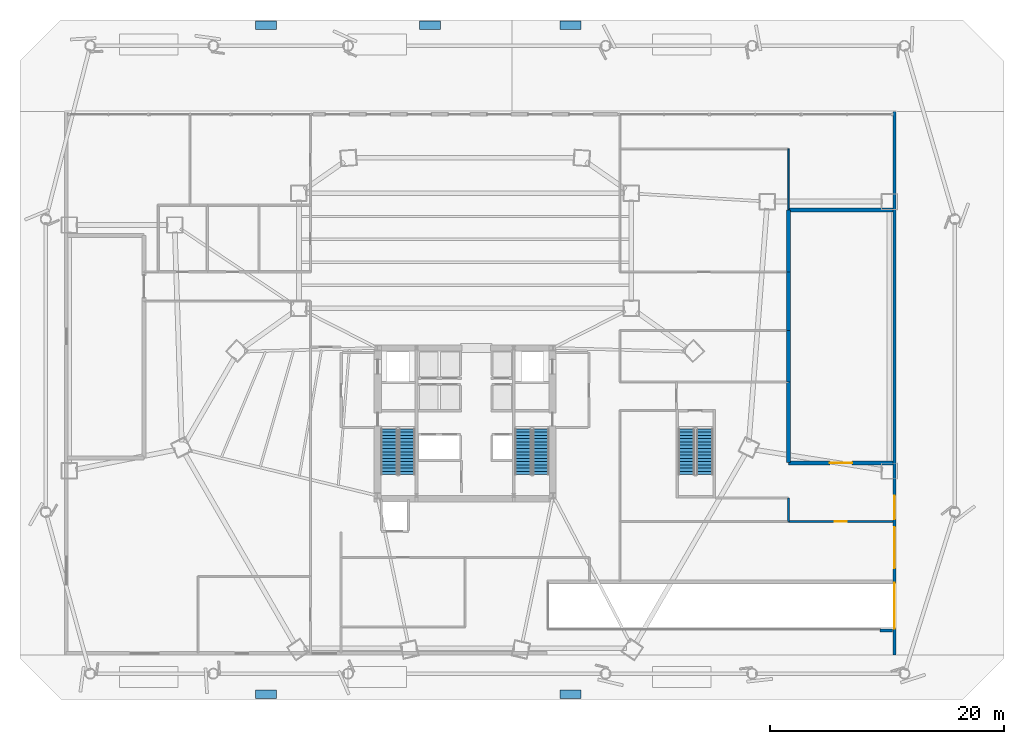
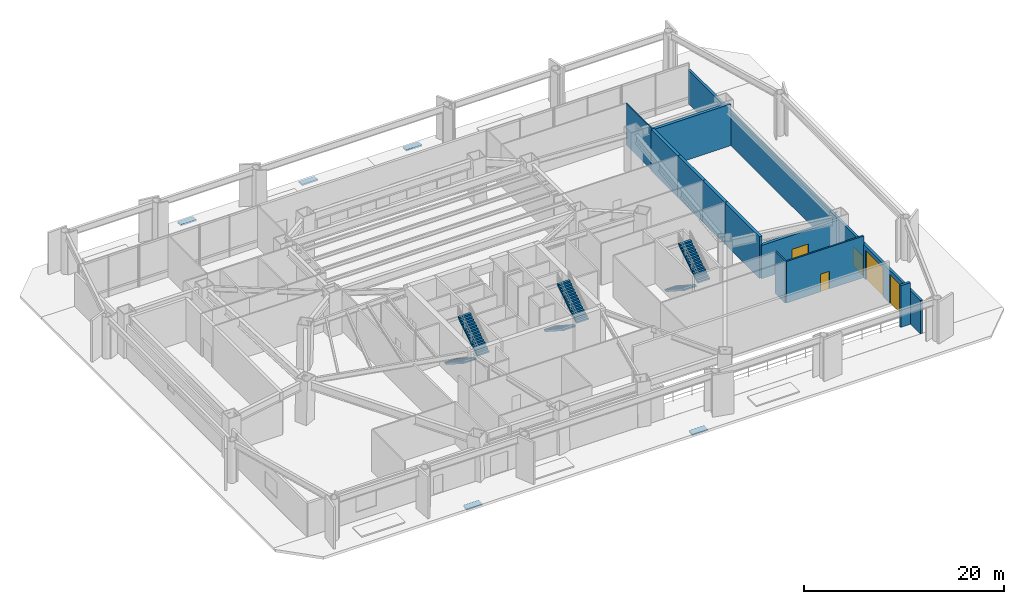
# One storey, part 14 of 19: 11 walls, 6 stair flights, 5 doors, 5 ramp flights, 5 openings, 8 elements without a shape of their own.
"""IFC4 building model written with IfcOpenShell, lengths in metres."""

from ifc_helpers import new_model, si_unit, direction, frame, frame_2d, origin, place, context, subcontext, project, spatial, polyline, rectangle, outline, extrude, material, layer, layer_set, type_object, element, fill, aggregate, save


model = new_model("IFC4")

# Units and contexts
model_context = context("Model", 3, precision=1e-05, world=origin(), true_north=direction((0.0, 1.0)))
body_context = subcontext(model_context, "Body", "Model", "MODEL_VIEW")
ifc_project = project(units=[si_unit("LENGTHUNIT", "METRE"), si_unit("AREAUNIT", "SQUARE_METRE"), si_unit("VOLUMEUNIT", "CUBIC_METRE"), si_unit("PLANEANGLEUNIT", "RADIAN"), si_unit("MASSUNIT", "GRAM", prefix="KILO")], contexts=[model_context])

# Site, building, storey
site_placement = place(None, origin())
site = spatial("IfcSite", under=ifc_project, at=site_placement, CompositionType="ELEMENT")
building_placement = place(site_placement, origin())
building = spatial("IfcBuilding", under=site, at=building_placement, Name="Caelisora Broadcast Tower", CompositionType="ELEMENT")
storey_placement = place(building_placement, origin())
storey = spatial("IfcBuildingStorey", under=building, at=storey_placement, Name="L00", CompositionType="ELEMENT", Elevation=0.0)

# Wall
ifc_material_1 = material(Name="Insulated Terracotta Spandrel Wall System", Category="masonry")
ifc_layer_1 = layer(ifc_material_1, 0.280029296875, Name="Insulated Terracotta Spandrel Wall System")
ifc_layer_set_1 = layer_set([ifc_layer_1], Name="Insulated Terracotta Spandrel Wall System")
wall_type_1 = type_object("IfcWallType", Name="EW1", PredefinedType="STANDARD", material=ifc_layer_set_1)
wall_1_placement = place(storey_placement, frame((73.39990234375, 5.8798828125, 0.0), z_axis=(0.0, 0.0, 1.0), x_axis=(1.0, 0.0, 0.0)))
element("IfcWall", 1, at=wall_1_placement, inside=storey, type_object=wall_type_1, Name="L00 exterior envelope wall EW1", PredefinedType="STANDARD", context=body_context, shape_type="SweptSolid", body=[
    extrude(rectangle(XDim=1.10009765625, YDim=0.280029296875, at=frame_2d((0.550048828125, 0.0))), origin(), (0.0, 0.0, 1.0), 5.080078125),
])

# Wall, openings, doors
wall_2_placement = place(storey_placement, frame((74.659912109375, 50.199951171875, 0.0), z_axis=(0.0, 0.0, 1.0), x_axis=(0.0, -1.0, 0.0)))
wall_2 = element("IfcWall", 2, at=wall_2_placement, inside=storey, type_object=wall_type_1, Name="L00 exterior envelope wall EW1", PredefinedType="STANDARD", context=body_context, shape_type="SweptSolid", body=[
    extrude(rectangle(XDim=46.39990234375, YDim=0.280029296875, at=frame_2d((23.199951171875, 0.0))), origin(), (0.0, 0.0, 1.0), 4.06494140625),
])
opening_1_placement = place(wall_2_placement, frame((40.25, 0.0, 0.0)))
opening_1 = element("IfcOpeningElement", 3, at=opening_1_placement, cuts=wall_2, Name="Opening RS01", PredefinedType="OPENING", context=body_context, shape_type="SweptSolid", body=[
    extrude(rectangle(XDim=3.89990234375, YDim=3.550048828125, at=frame_2d((1.949951171875, 1.77490234375))), frame((0.0, 0.152099609375, 0.0), z_axis=(0.0, -1.0, 0.0), x_axis=(1.0, 0.0, 0.0)), (0.0, 0.0, 1.0), 0.303955078125),
])
opening_2_placement = place(wall_2_placement, frame((35.5, 0.0, 0.0)))
opening_2 = element("IfcOpeningElement", 4, at=opening_2_placement, cuts=wall_2, Name="Opening RS02", PredefinedType="OPENING", context=body_context, shape_type="SweptSolid", body=[
    extrude(rectangle(XDim=3.5, YDim=3.550048828125, at=frame_2d((1.75, 1.77490234375))), frame((0.0, 0.152099609375, 0.0), z_axis=(0.0, -1.0, 0.0), x_axis=(1.0, 0.0, 0.0)), (0.0, 0.0, 1.0), 0.303955078125),
])
opening_3_placement = place(wall_2_placement, frame((32.800048828125, 0.0, 0.0)))
opening_3 = element("IfcOpeningElement", 5, at=opening_3_placement, cuts=wall_2, Name="Opening D05", PredefinedType="OPENING", context=body_context, shape_type="SweptSolid", body=[
    extrude(rectangle(XDim=2.0, YDim=2.39990234375, at=frame_2d((1.0, 1.199951171875))), frame((0.0, 0.152099609375, 0.0), z_axis=(0.0, -1.0, 0.0), x_axis=(1.0, 0.0, 0.0)), (0.0, 0.0, 1.0), 0.303955078125),
])
ifc_material_2 = material(Name="Anodised Aluminium Double Entrance Door", Category="aluminium")
door_type_1 = type_object("IfcDoorType", Name="D05", OperationType="NOTDEFINED", PredefinedType="DOOR", material=ifc_material_2)
door_1_placement = place(opening_3_placement, origin())
door_1 = element("IfcDoor", 6, at=door_1_placement, inside=storey, type_object=door_type_1, Name="L00 door D05 (L00-DR-EXP3)", OperationType="DOUBLE_DOOR_SINGLE_SWING", OverallHeight=2.39990234375, OverallWidth=2.0, PredefinedType="DOOR", context=body_context, shape_type="SweptSolid", body=[
    extrude(rectangle(XDim=2.0, YDim=2.39990234375, at=frame_2d((1.0, 1.199951171875))), frame((0.0, 0.02490234375, 0.0), z_axis=(0.0, -1.0, 0.0), x_axis=(1.0, 0.0, 0.0)), (0.0, 0.0, 1.0), 0.050048828125),
])
fill(opening_3, door_1)
ifc_material_3 = material(Name="Heavy-Duty Steel Insulated Roller Shutter", Category="steel")
door_type_2 = type_object("IfcDoorType", Name="RS01", OperationType="NOTDEFINED", PredefinedType="GATE", material=ifc_material_3)
door_2_placement = place(opening_1_placement, origin())
door_2 = element("IfcDoor", 7, at=door_2_placement, inside=storey, type_object=door_type_2, Name="L00 door RS01 (L00-DR-RS01)", OperationType="ROLLINGUP", OverallHeight=3.550048828125, OverallWidth=3.89990234375, PredefinedType="GATE", context=body_context, shape_type="SweptSolid", body=[
    extrude(rectangle(XDim=3.89990234375, YDim=3.550048828125, at=frame_2d((1.949951171875, 1.77490234375))), frame((0.0, 0.02490234375, 0.0), z_axis=(0.0, -1.0, 0.0), x_axis=(1.0, 0.0, 0.0)), (0.0, 0.0, 1.0), 0.050048828125),
])
fill(opening_1, door_2)
ifc_material_4 = material(Name="Acoustic Steel Loading Dock Roller Shutter", Category="steel")
door_type_3 = type_object("IfcDoorType", Name="RS02", OperationType="NOTDEFINED", PredefinedType="GATE", material=ifc_material_4)
door_3_placement = place(opening_2_placement, origin())
door_3 = element("IfcDoor", 8, at=door_3_placement, inside=storey, type_object=door_type_3, Name="L00 door RS02 (L00-DR-RS02)", OperationType="ROLLINGUP", OverallHeight=3.550048828125, OverallWidth=3.5, PredefinedType="GATE", context=body_context, shape_type="SweptSolid", body=[
    extrude(rectangle(XDim=3.5, YDim=3.550048828125, at=frame_2d((1.75, 1.77490234375))), frame((0.0, 0.02490234375, 0.0), z_axis=(0.0, -1.0, 0.0), x_axis=(1.0, 0.0, 0.0)), (0.0, 0.0, 1.0), 0.050048828125),
])
fill(opening_2, door_3)

# Wall, opening, door
ifc_material_5 = material(Name="Double-Leaf Acoustic Studio Isolation Wall", Category="gypsum")
ifc_layer_2 = layer(ifc_material_5, 0.340087890625, Name="Double-Leaf Acoustic Studio Isolation Wall")
ifc_layer_set_2 = layer_set([ifc_layer_2], Name="Double-Leaf Acoustic Studio Isolation Wall")
wall_type_2 = type_object("IfcWallType", Name="PW1", PredefinedType="PARTITIONING", material=ifc_layer_set_2)
wall_3_placement = place(storey_placement, frame((74.534912109375, 20.199951171875, 0.0), z_axis=(0.0, 0.0, 1.0), x_axis=(-1.0, 0.0, 0.0)))
wall_3 = element("IfcWall", 9, at=wall_3_placement, inside=storey, type_object=wall_type_2, Name="L00 acoustic studio wall PW1", PredefinedType="PARTITIONING", context=body_context, shape_type="SweptSolid", body=[
    extrude(rectangle(XDim=8.929931640625, YDim=0.340087890625, at=frame_2d((4.46484375, 0.0))), origin(), (0.0, 0.0, 1.0), 4.06494140625),
])
opening_4_placement = place(wall_3_placement, frame((3.507080078125, 0.0, 0.0)))
opening_4 = element("IfcOpeningElement", 10, at=opening_4_placement, cuts=wall_3, Name="Opening SD01", PredefinedType="OPENING", context=body_context, shape_type="SweptSolid", body=[
    extrude(rectangle(XDim=1.89990234375, YDim=2.35009765625, at=frame_2d((0.949951171875, 1.175048828125))), frame((0.0, 0.18212890625, 0.0), z_axis=(0.0, -1.0, 0.0), x_axis=(1.0, 0.0, 0.0)), (0.0, 0.0, 1.0), 0.364013671875),
])
ifc_material_6 = material(Name="Double-Leaf Acoustic Studio Sound-Lock Door", Category="steel")
door_type_4 = type_object("IfcDoorType", Name="SD01", OperationType="NOTDEFINED", PredefinedType="DOOR", material=ifc_material_6)
door_4_placement = place(opening_4_placement, origin())
door_4 = element("IfcDoor", 11, at=door_4_placement, inside=storey, type_object=door_type_4, Name="L00 door SD01 (L00-DR-P24D1)", OperationType="DOUBLE_DOOR_SINGLE_SWING", OverallHeight=2.35009765625, OverallWidth=1.89990234375, PredefinedType="DOOR", context=body_context, shape_type="SweptSolid", body=[
    extrude(rectangle(XDim=1.89990234375, YDim=2.35009765625, at=frame_2d((0.949951171875, 1.175048828125))), frame((0.0, 0.02490234375, 0.0), z_axis=(0.0, -1.0, 0.0), x_axis=(1.0, 0.0, 0.0)), (0.0, 0.0, 1.0), 0.050048828125),
])
fill(opening_4, door_4)

# Walls
wall_4_placement = place(storey_placement, frame((65.60498046875, 41.800048828125, 0.0), z_axis=(0.0, 0.0, 1.0), x_axis=(1.0, 0.0, 0.0)))
element("IfcWall", 12, at=wall_4_placement, inside=storey, type_object=wall_type_2, Name="L00 acoustic studio wall PW1", PredefinedType="PARTITIONING", context=body_context, shape_type="SweptSolid", body=[
    extrude(rectangle(XDim=8.929931640625, YDim=0.340087890625, at=frame_2d((4.46484375, 0.0))), origin(), (0.0, 0.0, 1.0), 5.080078125),
])
wall_5_placement = place(storey_placement, frame((65.60009765625, 20.205078125, 0.0), z_axis=(0.0, 0.0, 1.0), x_axis=(0.0, 1.0, 0.0)))
element("IfcWall", 13, at=wall_5_placement, inside=storey, type_object=wall_type_2, Name="L00 acoustic studio wall PW1", PredefinedType="PARTITIONING", context=body_context, shape_type="SweptSolid", body=[
    extrude(rectangle(XDim=6.889892578125, YDim=0.340087890625, at=frame_2d((3.44482421875, 0.0))), origin(), (0.0, 0.0, 1.0), 5.080078125),
])
wall_6_placement = place(storey_placement, frame((65.60009765625, 36.5048828125, 0.0), z_axis=(0.0, 0.0, 1.0), x_axis=(0.0, 1.0, 0.0)))
element("IfcWall", 14, at=wall_6_placement, inside=storey, type_object=wall_type_2, Name="L00 acoustic studio wall PW1", PredefinedType="PARTITIONING", context=body_context, shape_type="SweptSolid", body=[
    extrude(rectangle(XDim=5.2900390625, YDim=0.340087890625, at=frame_2d((2.64501953125, 0.0))), origin(), (0.0, 0.0, 1.0), 5.080078125),
])
wall_7_placement = place(storey_placement, frame((65.60009765625, 31.5048828125, 0.0), z_axis=(0.0, 0.0, 1.0), x_axis=(0.0, 1.0, 0.0)))
element("IfcWall", 15, at=wall_7_placement, inside=storey, type_object=wall_type_2, Name="L00 acoustic studio wall PW1", PredefinedType="PARTITIONING", context=body_context, shape_type="SweptSolid", body=[
    extrude(rectangle(XDim=4.990234375, YDim=0.340087890625, at=frame_2d((2.4951171875, 0.0))), origin(), (0.0, 0.0, 1.0), 5.080078125),
])
wall_8_placement = place(storey_placement, frame((65.60009765625, 27.10498046875, 0.0), z_axis=(0.0, 0.0, 1.0), x_axis=(0.0, 1.0, 0.0)))
element("IfcWall", 16, at=wall_8_placement, inside=storey, type_object=wall_type_2, Name="L00 acoustic studio wall PW1", PredefinedType="PARTITIONING", context=body_context, shape_type="SweptSolid", body=[
    extrude(rectangle(XDim=4.39013671875, YDim=0.340087890625, at=frame_2d((2.195068359375, 0.0))), origin(), (0.0, 0.0, 1.0), 5.080078125),
])

# Wall, opening, door
ifc_material_7 = material(Name="Fire-Rated Gypsum Shaft and Compartment Wall", Category="gypsum")
ifc_layer_3 = layer(ifc_material_7, 0.179931640625, Name="Fire-Rated Gypsum Shaft and Compartment Wall")
ifc_layer_set_3 = layer_set([ifc_layer_3], Name="Fire-Rated Gypsum Shaft and Compartment Wall")
wall_type_3 = type_object("IfcWallType", Name="PW2", PredefinedType="PARTITIONING", material=ifc_layer_set_3)
wall_9_placement = place(storey_placement, frame((65.60498046875, 15.199951171875, 0.0), z_axis=(0.0, 0.0, 1.0), x_axis=(1.0, 0.0, 0.0)))
wall_9 = element("IfcWall", 17, at=wall_9_placement, inside=storey, type_object=wall_type_3, Name="L00 fire compartment wall PW2", PredefinedType="PARTITIONING", context=body_context, shape_type="SweptSolid", body=[
    extrude(rectangle(XDim=8.929931640625, YDim=0.179931640625, at=frame_2d((4.46484375, 0.0))), origin(), (0.0, 0.0, 1.0), 5.080078125),
])
opening_5_placement = place(wall_9_placement, frame((3.931884765625, 0.0, 0.0)))
opening_5 = element("IfcOpeningElement", 18, at=opening_5_placement, cuts=wall_9, Name="Opening FD02", PredefinedType="OPENING", context=body_context, shape_type="SweptSolid", body=[
    extrude(rectangle(XDim=1.050048828125, YDim=2.14990234375, at=frame_2d((0.52490234375, 1.074951171875))), frame((0.0, 0.10205078125, 0.0), z_axis=(0.0, -1.0, 0.0), x_axis=(1.0, 0.0, 0.0)), (0.0, 0.0, 1.0), 0.203857421875),
])
ifc_material_8 = material(Name="Single-Leaf Steel Fire Lobby Door", Category="steel")
door_type_5 = type_object("IfcDoorType", Name="FD02", OperationType="NOTDEFINED", PredefinedType="DOOR", material=ifc_material_8)
door_5_placement = place(opening_5_placement, origin())
door_5 = element("IfcDoor", 19, at=door_5_placement, inside=storey, type_object=door_type_5, Name="L00 door FD02 (L00-DR-P37D1)", OperationType="SINGLE_SWING_LEFT", OverallHeight=2.14990234375, OverallWidth=1.050048828125, PredefinedType="DOOR", context=body_context, shape_type="SweptSolid", body=[
    extrude(rectangle(XDim=1.050048828125, YDim=2.14990234375, at=frame_2d((0.52490234375, 1.074951171875))), frame((0.0, 0.02490234375, 0.0), z_axis=(0.0, -1.0, 0.0), x_axis=(1.0, 0.0, 0.0)), (0.0, 0.0, 1.0), 0.050048828125),
])
fill(opening_5, door_5)

# Walls
wall_10_placement = place(storey_placement, frame((65.60009765625, 15.205078125, 0.0), z_axis=(0.0, 0.0, 1.0), x_axis=(0.0, 1.0, 0.0)))
element("IfcWall", 20, at=wall_10_placement, inside=storey, type_object=wall_type_3, Name="L00 fire compartment wall PW2", PredefinedType="PARTITIONING", context=body_context, shape_type="SweptSolid", body=[
    extrude(rectangle(XDim=1.989990234375, YDim=0.179931640625, at=frame_2d((0.9951171875, 0.0))), origin(), (0.0, 0.0, 1.0), 5.080078125),
])
ifc_material_9 = material(Name="Acoustic Steel-Stud Plasterboard Partition", Category="gypsum")
ifc_layer_4 = layer(ifc_material_9, 0.1298828125, Name="Acoustic Steel-Stud Plasterboard Partition")
ifc_layer_set_4 = layer_set([ifc_layer_4], Name="Acoustic Steel-Stud Plasterboard Partition")
wall_type_4 = type_object("IfcWallType", Name="PW3", PredefinedType="PARTITIONING", material=ifc_layer_set_4)
wall_11_placement = place(storey_placement, frame((65.60009765625, 46.9951171875, 0.0), z_axis=(0.0, 0.0, 1.0), x_axis=(0.0, -1.0, 0.0)))
element("IfcWall", 21, at=wall_11_placement, inside=storey, type_object=wall_type_4, Name="L00 internal partition PW3", PredefinedType="PARTITIONING", context=body_context, shape_type="SweptSolid", body=[
    extrude(rectangle(XDim=5.190185546875, YDim=0.1298828125, at=frame_2d((2.59521484375, 0.0))), origin(), (0.0, 0.0, 1.0), 5.080078125),
])

# Stair, stair flights
ifc_material_10 = material(Name="Concrete 40 MPa (AS 3600 N40)", Category="concrete")
stair_type_1 = type_object("IfcStairType", Name="ST-1", PredefinedType="HALF_TURN_STAIR", material=ifc_material_10)
stair_1_placement = place(storey_placement, origin())
stair_1 = element("IfcStair", 22, at=stair_1_placement, inside=storey, type_object=stair_type_1, Name="L00 West Fire-Isolated Tower Stair", PredefinedType="HALF_TURN_STAIR")
stair_flight_type = type_object("IfcStairFlightType", Name="STF-1", PredefinedType="STRAIGHT", material=ifc_material_10)
stair_flight_1_placement = place(storey_placement, frame((31.52001953125, 23.10009765625, 0.0), z_axis=(0.0, 0.0, 1.0), x_axis=(0.0, -1.0, 0.0)))
stair_flight_1 = element("IfcStairFlight", 23, at=stair_flight_1_placement, type_object=stair_flight_type, Name="ST-1 flight 1", NumberOfRisers=15, NumberOfTreads=14, PredefinedType="STRAIGHT", RiserHeight=0.18, TreadLength=0.28, context=body_context, shape_type="SweptSolid", body=[
    extrude(outline(polyline([(0.0, 0.0), (0.0, 0.179931640625), (0.280029296875, 0.179931640625), (0.280029296875, 0.360107421875), (0.56005859375, 0.360107421875), (0.56005859375, 0.5400390625), (0.840087890625, 0.5400390625), (0.840087890625, 0.719970703125), (1.1201171875, 0.719970703125), (1.1201171875, 0.89990234375), (1.39990234375, 0.89990234375), (1.39990234375, 1.080078125), (1.679931640625, 1.080078125), (1.679931640625, 1.260009765625), (1.9599609375, 1.260009765625), (1.9599609375, 1.43994140625), (2.239990234375, 1.43994140625), (2.239990234375, 1.6201171875), (2.52001953125, 1.6201171875), (2.52001953125, 1.800048828125), (2.800048828125, 1.800048828125), (2.800048828125, 1.97998046875), (3.080078125, 1.97998046875), (3.080078125, 2.159912109375), (3.360107421875, 2.159912109375), (3.360107421875, 2.340087890625), (3.639892578125, 2.340087890625), (3.639892578125, 2.52001953125), (3.919921875, 2.52001953125), (3.919921875, 2.699951171875), (3.919921875, 2.341796875), (0.277099609375, 0.0), (0.0, 0.0)])), frame((0.0, 0.699951171875, 0.0), z_axis=(0.0, -1.0, 0.0), x_axis=(1.0, 0.0, 0.0)), (0.0, 0.0, 1.0), 1.39990234375),
])
stair_flight_2_placement = place(storey_placement, frame((33.0400390625, 19.179931640625, 2.699951171875), z_axis=(0.0, 0.0, 1.0), x_axis=(0.0, 1.0, 0.0)))
stair_flight_2 = element("IfcStairFlight", 24, at=stair_flight_2_placement, type_object=stair_flight_type, Name="ST-1 flight 2", NumberOfRisers=15, NumberOfTreads=14, PredefinedType="STRAIGHT", RiserHeight=0.18, TreadLength=0.28, context=body_context, shape_type="SweptSolid", body=[
    extrude(outline(polyline([(0.0, 0.0), (0.0, 0.179931640625), (0.280029296875, 0.179931640625), (0.280029296875, 0.360107421875), (0.56005859375, 0.360107421875), (0.56005859375, 0.5400390625), (0.840087890625, 0.5400390625), (0.840087890625, 0.719970703125), (1.1201171875, 0.719970703125), (1.1201171875, 0.89990234375), (1.39990234375, 0.89990234375), (1.39990234375, 1.080078125), (1.679931640625, 1.080078125), (1.679931640625, 1.260009765625), (1.9599609375, 1.260009765625), (1.9599609375, 1.43994140625), (2.239990234375, 1.43994140625), (2.239990234375, 1.6201171875), (2.52001953125, 1.6201171875), (2.52001953125, 1.800048828125), (2.800048828125, 1.800048828125), (2.800048828125, 1.97998046875), (3.080078125, 1.97998046875), (3.080078125, 2.159912109375), (3.360107421875, 2.159912109375), (3.360107421875, 2.340087890625), (3.639892578125, 2.340087890625), (3.639892578125, 2.52001953125), (3.919921875, 2.52001953125), (3.919921875, 2.699951171875), (3.919921875, 2.341796875), (0.277099609375, 0.0), (0.0, 0.0)])), frame((0.0, 0.699951171875, 0.0), z_axis=(0.0, -1.0, 0.0), x_axis=(1.0, 0.0, 0.0)), (0.0, 0.0, 1.0), 1.39990234375),
])
aggregate(stair_1, [stair_flight_1, stair_flight_2])

stair_type_2 = type_object("IfcStairType", Name="ST-2", PredefinedType="HALF_TURN_STAIR", material=ifc_material_10)
stair_2_placement = place(storey_placement, origin())
stair_2 = element("IfcStair", 25, at=stair_2_placement, inside=storey, type_object=stair_type_2, Name="L00 East Fire-Isolated Tower Stair", PredefinedType="HALF_TURN_STAIR")
stair_flight_3_placement = place(storey_placement, frame((42.9599609375, 23.10009765625, 0.0), z_axis=(0.0, 0.0, 1.0), x_axis=(0.0, -1.0, 0.0)))
stair_flight_3 = element("IfcStairFlight", 26, at=stair_flight_3_placement, type_object=stair_flight_type, Name="ST-2 flight 1", NumberOfRisers=15, NumberOfTreads=14, PredefinedType="STRAIGHT", RiserHeight=0.18, TreadLength=0.28, context=body_context, shape_type="SweptSolid", body=[
    extrude(outline(polyline([(0.0, 0.0), (0.0, 0.179931640625), (0.280029296875, 0.179931640625), (0.280029296875, 0.360107421875), (0.56005859375, 0.360107421875), (0.56005859375, 0.5400390625), (0.840087890625, 0.5400390625), (0.840087890625, 0.719970703125), (1.1201171875, 0.719970703125), (1.1201171875, 0.89990234375), (1.39990234375, 0.89990234375), (1.39990234375, 1.080078125), (1.679931640625, 1.080078125), (1.679931640625, 1.260009765625), (1.9599609375, 1.260009765625), (1.9599609375, 1.43994140625), (2.239990234375, 1.43994140625), (2.239990234375, 1.6201171875), (2.52001953125, 1.6201171875), (2.52001953125, 1.800048828125), (2.800048828125, 1.800048828125), (2.800048828125, 1.97998046875), (3.080078125, 1.97998046875), (3.080078125, 2.159912109375), (3.360107421875, 2.159912109375), (3.360107421875, 2.340087890625), (3.639892578125, 2.340087890625), (3.639892578125, 2.52001953125), (3.919921875, 2.52001953125), (3.919921875, 2.699951171875), (3.919921875, 2.341796875), (0.277099609375, 0.0), (0.0, 0.0)])), frame((0.0, 0.699951171875, 0.0), z_axis=(0.0, -1.0, 0.0), x_axis=(1.0, 0.0, 0.0)), (0.0, 0.0, 1.0), 1.39990234375),
])
stair_flight_4_placement = place(storey_placement, frame((44.47998046875, 19.179931640625, 2.699951171875), z_axis=(0.0, 0.0, 1.0), x_axis=(0.0, 1.0, 0.0)))
stair_flight_4 = element("IfcStairFlight", 27, at=stair_flight_4_placement, type_object=stair_flight_type, Name="ST-2 flight 2", NumberOfRisers=15, NumberOfTreads=14, PredefinedType="STRAIGHT", RiserHeight=0.18, TreadLength=0.28, context=body_context, shape_type="SweptSolid", body=[
    extrude(outline(polyline([(0.0, 0.0), (0.0, 0.179931640625), (0.280029296875, 0.179931640625), (0.280029296875, 0.360107421875), (0.56005859375, 0.360107421875), (0.56005859375, 0.5400390625), (0.840087890625, 0.5400390625), (0.840087890625, 0.719970703125), (1.1201171875, 0.719970703125), (1.1201171875, 0.89990234375), (1.39990234375, 0.89990234375), (1.39990234375, 1.080078125), (1.679931640625, 1.080078125), (1.679931640625, 1.260009765625), (1.9599609375, 1.260009765625), (1.9599609375, 1.43994140625), (2.239990234375, 1.43994140625), (2.239990234375, 1.6201171875), (2.52001953125, 1.6201171875), (2.52001953125, 1.800048828125), (2.800048828125, 1.800048828125), (2.800048828125, 1.97998046875), (3.080078125, 1.97998046875), (3.080078125, 2.159912109375), (3.360107421875, 2.159912109375), (3.360107421875, 2.340087890625), (3.639892578125, 2.340087890625), (3.639892578125, 2.52001953125), (3.919921875, 2.52001953125), (3.919921875, 2.699951171875), (3.919921875, 2.341796875), (0.277099609375, 0.0), (0.0, 0.0)])), frame((0.0, 0.699951171875, 0.0), z_axis=(0.0, -1.0, 0.0), x_axis=(1.0, 0.0, 0.0)), (0.0, 0.0, 1.0), 1.39990234375),
])
aggregate(stair_2, [stair_flight_3, stair_flight_4])

stair_type_3 = type_object("IfcStairType", Name="ST-3", PredefinedType="HALF_TURN_STAIR", material=ifc_material_10)
stair_3_placement = place(storey_placement, origin())
stair_3 = element("IfcStair", 28, at=stair_3_placement, inside=storey, type_object=stair_type_3, Name="L00 Podium Broadcast Studio Exit Stair", PredefinedType="HALF_TURN_STAIR")
stair_flight_5_placement = place(storey_placement, frame((56.89990234375, 23.10009765625, 0.0), z_axis=(0.0, 0.0, 1.0), x_axis=(0.0, -1.0, 0.0)))
stair_flight_5 = element("IfcStairFlight", 29, at=stair_flight_5_placement, type_object=stair_flight_type, Name="ST-3 flight 1", NumberOfRisers=15, NumberOfTreads=14, PredefinedType="STRAIGHT", RiserHeight=0.18, TreadLength=0.28, context=body_context, shape_type="SweptSolid", body=[
    extrude(outline(polyline([(0.0, 0.0), (0.0, 0.179931640625), (0.280029296875, 0.179931640625), (0.280029296875, 0.360107421875), (0.56005859375, 0.360107421875), (0.56005859375, 0.5400390625), (0.840087890625, 0.5400390625), (0.840087890625, 0.719970703125), (1.1201171875, 0.719970703125), (1.1201171875, 0.89990234375), (1.39990234375, 0.89990234375), (1.39990234375, 1.080078125), (1.679931640625, 1.080078125), (1.679931640625, 1.260009765625), (1.9599609375, 1.260009765625), (1.9599609375, 1.43994140625), (2.239990234375, 1.43994140625), (2.239990234375, 1.6201171875), (2.52001953125, 1.6201171875), (2.52001953125, 1.800048828125), (2.800048828125, 1.800048828125), (2.800048828125, 1.97998046875), (3.080078125, 1.97998046875), (3.080078125, 2.159912109375), (3.360107421875, 2.159912109375), (3.360107421875, 2.340087890625), (3.639892578125, 2.340087890625), (3.639892578125, 2.52001953125), (3.919921875, 2.52001953125), (3.919921875, 2.699951171875), (3.919921875, 2.341796875), (0.277099609375, 0.0), (0.0, 0.0)])), frame((0.0, 0.699951171875, 0.0), z_axis=(0.0, -1.0, 0.0), x_axis=(1.0, 0.0, 0.0)), (0.0, 0.0, 1.0), 1.39990234375),
])
stair_flight_6_placement = place(storey_placement, frame((58.4599609375, 19.179931640625, 2.699951171875), z_axis=(0.0, 0.0, 1.0), x_axis=(0.0, 1.0, 0.0)))
stair_flight_6 = element("IfcStairFlight", 30, at=stair_flight_6_placement, type_object=stair_flight_type, Name="ST-3 flight 2", NumberOfRisers=15, NumberOfTreads=14, PredefinedType="STRAIGHT", RiserHeight=0.18, TreadLength=0.28, context=body_context, shape_type="SweptSolid", body=[
    extrude(outline(polyline([(0.0, 0.0), (0.0, 0.179931640625), (0.280029296875, 0.179931640625), (0.280029296875, 0.360107421875), (0.56005859375, 0.360107421875), (0.56005859375, 0.5400390625), (0.840087890625, 0.5400390625), (0.840087890625, 0.719970703125), (1.1201171875, 0.719970703125), (1.1201171875, 0.89990234375), (1.39990234375, 0.89990234375), (1.39990234375, 1.080078125), (1.679931640625, 1.080078125), (1.679931640625, 1.260009765625), (1.9599609375, 1.260009765625), (1.9599609375, 1.43994140625), (2.239990234375, 1.43994140625), (2.239990234375, 1.6201171875), (2.52001953125, 1.6201171875), (2.52001953125, 1.800048828125), (2.800048828125, 1.800048828125), (2.800048828125, 1.97998046875), (3.080078125, 1.97998046875), (3.080078125, 2.159912109375), (3.360107421875, 2.159912109375), (3.360107421875, 2.340087890625), (3.639892578125, 2.340087890625), (3.639892578125, 2.52001953125), (3.919921875, 2.52001953125), (3.919921875, 2.699951171875), (3.919921875, 2.341796875), (0.277099609375, 0.0), (0.0, 0.0)])), frame((0.0, 0.699951171875, 0.0), z_axis=(0.0, -1.0, 0.0), x_axis=(1.0, 0.0, 0.0)), (0.0, 0.0, 1.0), 1.39990234375),
])
aggregate(stair_3, [stair_flight_5, stair_flight_6])

# Ramp, ramp flight
ramp_type = type_object("IfcRampType", Name="RM-2", PredefinedType="STRAIGHT_RUN_RAMP", material=ifc_material_10)
ramp_1_placement = place(storey_placement, origin())
ramp_1 = element("IfcRamp", 31, at=ramp_1_placement, inside=storey, type_object=ramp_type, Name="L00 accessible threshold ramp #1", PredefinedType="STRAIGHT_RUN_RAMP")
ifc_layer_5 = layer(ifc_material_10, 0.179931640625, Name="Concrete 40 MPa (AS 3600 N40)")
ifc_layer_set_5 = layer_set([ifc_layer_5], Name="Concrete 40 MPa (AS 3600 N40)")
ramp_flight_type = type_object("IfcRampFlightType", Name="RMF-2", PredefinedType="STRAIGHT", material=ifc_layer_set_5)
ramp_flight_1_placement = place(storey_placement, frame((21.0, 0.10009765625, -0.050048828125), z_axis=(0.0, 0.0, 1.0), x_axis=(0.0, 1.0, 0.0)))
ramp_flight_1 = element("IfcRampFlight", 32, at=ramp_flight_1_placement, type_object=ramp_flight_type, Name="L00 accessible ramp flight #1", PredefinedType="STRAIGHT", context=body_context, shape_type="SweptSolid", body=[
    extrude(outline(polyline([(0.0, 0.0), (0.699951171875, 0.050048828125), (0.699951171875, -0.1298828125), (0.0, -0.179931640625), (0.0, 0.0)])), frame((0.0, 0.89990234375, 0.0), z_axis=(0.0, -1.0, 0.0), x_axis=(1.0, 0.0, 0.0)), (0.0, 0.0, 1.0), 1.800048828125),
])
aggregate(ramp_1, [ramp_flight_1])

ramp_2_placement = place(storey_placement, origin())
ramp_2 = element("IfcRamp", 33, at=ramp_2_placement, inside=storey, type_object=ramp_type, Name="L00 accessible threshold ramp #2", PredefinedType="STRAIGHT_RUN_RAMP")
ramp_flight_2_placement = place(storey_placement, frame((47.0, 0.10009765625, -0.050048828125), z_axis=(0.0, 0.0, 1.0), x_axis=(0.0, 1.0, 0.0)))
ramp_flight_2 = element("IfcRampFlight", 34, at=ramp_flight_2_placement, type_object=ramp_flight_type, Name="L00 accessible ramp flight #2", PredefinedType="STRAIGHT", context=body_context, shape_type="SweptSolid", body=[
    extrude(outline(polyline([(0.0, 0.0), (0.699951171875, 0.050048828125), (0.699951171875, -0.1298828125), (0.0, -0.179931640625), (0.0, 0.0)])), frame((0.0, 0.89990234375, 0.0), z_axis=(0.0, -1.0, 0.0), x_axis=(1.0, 0.0, 0.0)), (0.0, 0.0, 1.0), 1.800048828125),
])
aggregate(ramp_2, [ramp_flight_2])

ramp_3_placement = place(storey_placement, origin())
ramp_3 = element("IfcRamp", 35, at=ramp_3_placement, inside=storey, type_object=ramp_type, Name="L00 accessible threshold ramp #3", PredefinedType="STRAIGHT_RUN_RAMP")
ramp_flight_3_placement = place(storey_placement, frame((21.0, 57.89990234375, -0.050048828125), z_axis=(0.0, 0.0, 1.0), x_axis=(0.0, -1.0, 0.0)))
ramp_flight_3 = element("IfcRampFlight", 36, at=ramp_flight_3_placement, type_object=ramp_flight_type, Name="L00 accessible ramp flight #3", PredefinedType="STRAIGHT", context=body_context, shape_type="SweptSolid", body=[
    extrude(outline(polyline([(0.0, 0.0), (0.699951171875, 0.050048828125), (0.699951171875, -0.1298828125), (0.0, -0.179931640625), (0.0, 0.0)])), frame((0.0, 0.89990234375, 0.0), z_axis=(0.0, -1.0, 0.0), x_axis=(1.0, 0.0, 0.0)), (0.0, 0.0, 1.0), 1.800048828125),
])
aggregate(ramp_3, [ramp_flight_3])

ramp_4_placement = place(storey_placement, origin())
ramp_4 = element("IfcRamp", 37, at=ramp_4_placement, inside=storey, type_object=ramp_type, Name="L00 accessible threshold ramp #4", PredefinedType="STRAIGHT_RUN_RAMP")
ramp_flight_4_placement = place(storey_placement, frame((35.0, 57.89990234375, -0.050048828125), z_axis=(0.0, 0.0, 1.0), x_axis=(0.0, -1.0, 0.0)))
ramp_flight_4 = element("IfcRampFlight", 38, at=ramp_flight_4_placement, type_object=ramp_flight_type, Name="L00 accessible ramp flight #4", PredefinedType="STRAIGHT", context=body_context, shape_type="SweptSolid", body=[
    extrude(outline(polyline([(0.0, 0.0), (0.699951171875, 0.050048828125), (0.699951171875, -0.1298828125), (0.0, -0.179931640625), (0.0, 0.0)])), frame((0.0, 0.89990234375, 0.0), z_axis=(0.0, -1.0, 0.0), x_axis=(1.0, 0.0, 0.0)), (0.0, 0.0, 1.0), 1.800048828125),
])
aggregate(ramp_4, [ramp_flight_4])

ramp_5_placement = place(storey_placement, origin())
ramp_5 = element("IfcRamp", 39, at=ramp_5_placement, inside=storey, type_object=ramp_type, Name="L00 accessible threshold ramp #5", PredefinedType="STRAIGHT_RUN_RAMP")
ramp_flight_5_placement = place(storey_placement, frame((47.0, 57.89990234375, -0.050048828125), z_axis=(0.0, 0.0, 1.0), x_axis=(0.0, -1.0, 0.0)))
ramp_flight_5 = element("IfcRampFlight", 40, at=ramp_flight_5_placement, type_object=ramp_flight_type, Name="L00 accessible ramp flight #5", PredefinedType="STRAIGHT", context=body_context, shape_type="SweptSolid", body=[
    extrude(outline(polyline([(0.0, 0.0), (0.699951171875, 0.050048828125), (0.699951171875, -0.1298828125), (0.0, -0.179931640625), (0.0, 0.0)])), frame((0.0, 0.89990234375, 0.0), z_axis=(0.0, -1.0, 0.0), x_axis=(1.0, 0.0, 0.0)), (0.0, 0.0, 1.0), 1.800048828125),
])
aggregate(ramp_5, [ramp_flight_5])

save(model, "model.ifc")
